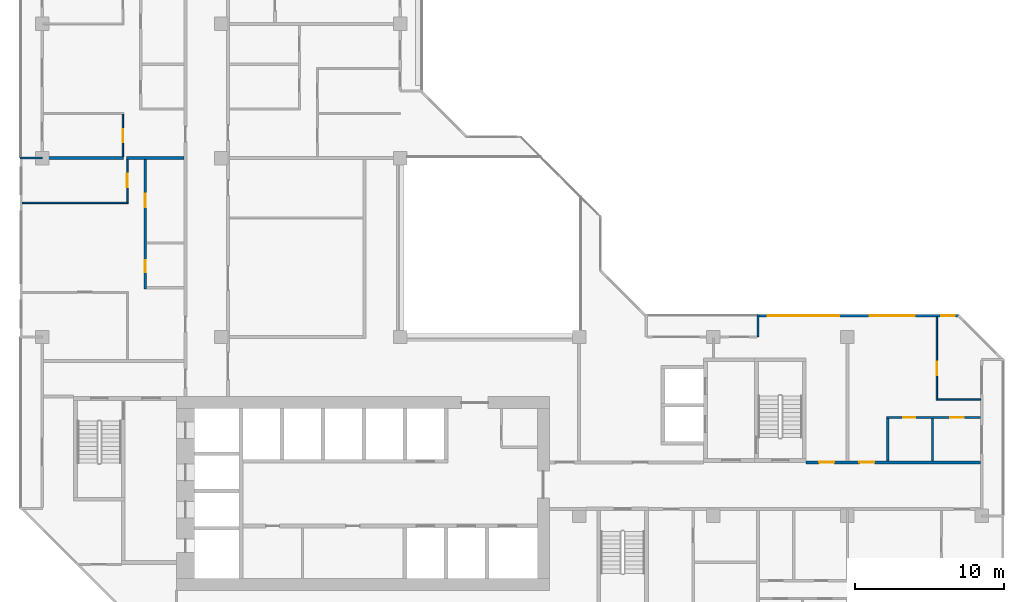
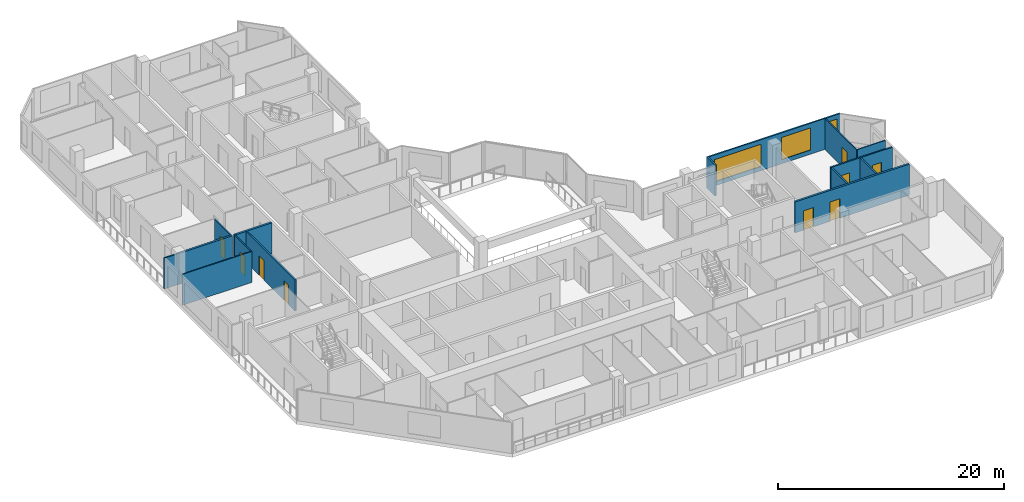
# One storey, part 8 of 15: 15 walls, 9 doors, 3 windows, 12 openings.
"""IFC4 building model written with IfcOpenShell, lengths in metres."""

from ifc_helpers import new_model, si_unit, direction, frame, frame_2d, origin, place, context, subcontext, project, spatial, rectangle, extrude, material, layer, layer_set, type_object, element, fill, save


model = new_model("IFC4")

# Units and contexts
model_context = context("Model", 3, precision=1e-05, world=origin(), true_north=direction((0.0, 1.0)))
body_context = subcontext(model_context, "Body", "Model", "MODEL_VIEW")
ifc_project = project(units=[si_unit("LENGTHUNIT", "METRE"), si_unit("AREAUNIT", "SQUARE_METRE"), si_unit("VOLUMEUNIT", "CUBIC_METRE"), si_unit("PLANEANGLEUNIT", "RADIAN"), si_unit("MASSUNIT", "GRAM", prefix="KILO")], contexts=[model_context])

# Site, building, storey
site_placement = place(None, origin())
site = spatial("IfcSite", under=ifc_project, at=site_placement, CompositionType="ELEMENT")
building_placement = place(site_placement, origin())
building = spatial("IfcBuilding", under=site, at=building_placement, Name="Chenar Terraces", CompositionType="ELEMENT")
storey_placement = place(building_placement, frame((0.0, 0.0, 198.64990234375)))
storey = spatial("IfcBuildingStorey", under=building, at=storey_placement, Name="L46", CompositionType="ELEMENT", Elevation=198.64990234375)

# Wall, openings, doors
ifc_material_1 = material(Name="Gypsum board on steel studs with fire boards", Category="steel")
ifc_layer_1 = layer(ifc_material_1, 0.199951171875)
ifc_layer_set_1 = layer_set([ifc_layer_1], Name="Gypsum board on steel studs with fire boards")
wall_type_1 = type_object("IfcWallType", Name="Corridor wall 200", PredefinedType="PARTITIONING", material=ifc_layer_set_1)
wall_1_placement = place(storey_placement, frame((51.22509765625, 15.60009765625, 0.0), z_axis=(0.0, 0.0, 1.0), x_axis=(1.0, 0.0, 0.0)))
wall_1 = element("IfcWall", 1, at=wall_1_placement, inside=storey, type_object=wall_type_1, Name="Partition L46-079", PredefinedType="PARTITIONING", context=body_context, shape_type="SweptSolid", body=[
    extrude(rectangle(XDim=11.700927734375, YDim=0.199951171875, at=frame_2d((5.8505859375, 0.0))), origin(), (0.0, 0.0, 1.0), 3.35009765625),
])
opening_1_placement = place(wall_1_placement, frame((3.574951171875, 0.0, 0.0)))
opening_1 = element("IfcOpeningElement", 2, at=opening_1_placement, cuts=wall_1, Name="Opening DL46-7", PredefinedType="OPENING", context=body_context, shape_type="SweptSolid", body=[
    extrude(rectangle(XDim=1.0, YDim=2.10009765625, at=frame_2d((0.5, 1.050048828125))), frame((0.0, 0.10986328125, 0.0), z_axis=(0.0, -1.0, 0.0), x_axis=(1.0, 0.0, 0.0)), (0.0, 0.0, 1.0), 0.219970703125),
])
opening_2_placement = place(wall_1_placement, frame((0.875, 0.0, 0.0)))
opening_2 = element("IfcOpeningElement", 3, at=opening_2_placement, cuts=wall_1, Name="Opening DL46-41", PredefinedType="OPENING", context=body_context, shape_type="SweptSolid", body=[
    extrude(rectangle(XDim=1.0, YDim=2.10009765625, at=frame_2d((0.5, 1.050048828125))), frame((0.0, 0.10986328125, 0.0), z_axis=(0.0, -1.0, 0.0), x_axis=(1.0, 0.0, 0.0)), (0.0, 0.0, 1.0), 0.219970703125),
])
ifc_material_2 = material(Name="Steel-framed fire-resisting door leaf", Category="steel")
door_type_1 = type_object("IfcDoorType", Name="Fire door FD30S 1000 x 2100", OperationType="SINGLE_SWING_LEFT", PredefinedType="DOOR", material=ifc_material_2)
door_1_placement = place(opening_1_placement, origin())
door_1 = element("IfcDoor", 4, at=door_1_placement, inside=storey, type_object=door_type_1, Name="Door DL46-7", OperationType="SINGLE_SWING_LEFT", OverallHeight=2.10009765625, OverallWidth=1.0, PredefinedType="DOOR", context=body_context, shape_type="SweptSolid", body=[
    extrude(rectangle(XDim=1.0, YDim=2.10009765625, at=frame_2d((0.5, 1.050048828125))), frame((0.0, 0.02490234375, 0.0), z_axis=(0.0, -1.0, 0.0), x_axis=(1.0, 0.0, 0.0)), (0.0, 0.0, 1.0), 0.050048828125),
])
fill(opening_1, door_1)
door_2_placement = place(opening_2_placement, origin())
door_2 = element("IfcDoor", 5, at=door_2_placement, inside=storey, type_object=door_type_1, Name="Door DL46-41", OperationType="SINGLE_SWING_RIGHT", OverallHeight=2.10009765625, OverallWidth=1.0, PredefinedType="DOOR", context=body_context, shape_type="SweptSolid", body=[
    extrude(rectangle(XDim=1.0, YDim=2.10009765625, at=frame_2d((0.5, 1.050048828125))), frame((0.0, 0.02490234375, 0.0), z_axis=(0.0, -1.0, 0.0), x_axis=(1.0, 0.0, 0.0)), (0.0, 0.0, 1.0), 0.050048828125),
])
fill(opening_2, door_2)

# Wall, openings, windows
ifc_material_3 = material(Name="Aluminium framed glazing", Category="aluminium")
ifc_layer_2 = layer(ifc_material_3, 0.14990234375)
ifc_layer_set_2 = layer_set([ifc_layer_2], Name="Aluminium framed glazing")
wall_type_2 = type_object("IfcWallType", Name="Glazed flush facade wall 150", PredefinedType="SOLIDWALL", material=ifc_layer_set_2)
wall_2_placement = place(storey_placement, frame((61.5, 25.425048828125, 0.0), z_axis=(0.0, 0.0, 1.0), x_axis=(-1.0, 0.0, 0.0)))
wall_2 = element("IfcWall", 6, at=wall_2_placement, inside=storey, type_object=wall_type_2, Name="Glazed flush facade wall", PredefinedType="SOLIDWALL", context=body_context, shape_type="SweptSolid", body=[
    extrude(rectangle(XDim=13.425048828125, YDim=0.14990234375, at=frame_2d((6.71240234375, 0.0))), origin(), (0.0, 0.0, 1.0), 3.35009765625),
])
opening_3_placement = place(wall_2_placement, frame((0.300048828125, 0.0, 0.449951171875)))
opening_3 = element("IfcOpeningElement", 7, at=opening_3_placement, cuts=wall_2, Name="Opening W90x240", PredefinedType="OPENING", context=body_context, shape_type="SweptSolid", body=[
    extrude(rectangle(XDim=0.89990234375, YDim=2.39990234375, at=frame_2d((0.449951171875, 1.199951171875))), frame((0.0, 0.0849609375, 0.0), z_axis=(0.0, -1.0, 0.0), x_axis=(1.0, 0.0, 0.0)), (0.0, 0.0, 1.0), 0.169921875),
])
opening_4_placement = place(wall_2_placement, frame((3.0, 0.0, 0.449951171875)))
opening_4 = element("IfcOpeningElement", 8, at=opening_4_placement, cuts=wall_2, Name="Opening W300x240", PredefinedType="OPENING", context=body_context, shape_type="SweptSolid", body=[
    extrude(rectangle(XDim=3.0, YDim=2.39990234375, at=frame_2d((1.5, 1.199951171875))), frame((0.0, 0.0849609375, 0.0), z_axis=(0.0, -1.0, 0.0), x_axis=(1.0, 0.0, 0.0)), (0.0, 0.0, 1.0), 0.169921875),
])
opening_5_placement = place(wall_2_placement, frame((8.0625, 0.0, 0.449951171875)))
opening_5 = element("IfcOpeningElement", 9, at=opening_5_placement, cuts=wall_2, Name="Opening W480x240", PredefinedType="OPENING", context=body_context, shape_type="SweptSolid", body=[
    extrude(rectangle(XDim=4.800048828125, YDim=2.39990234375, at=frame_2d((2.39990234375, 1.199951171875))), frame((0.0, 0.0849609375, 0.0), z_axis=(0.0, -1.0, 0.0), x_axis=(1.0, 0.0, 0.0)), (0.0, 0.0, 1.0), 0.169921875),
])
ifc_material_4 = material(Name="Low emissivity double glazing, aluminium frame", Category="aluminium")
window_type_1 = type_object("IfcWindowType", Name="Fixed light 3000 x 2400", PartitioningType="SINGLE_PANEL", PredefinedType="WINDOW", material=ifc_material_4)
window_1_placement = place(opening_4_placement, origin())
window_1 = element("IfcWindow", 10, at=window_1_placement, inside=storey, type_object=window_type_1, Name="Window", OverallHeight=2.39990234375, OverallWidth=3.0, PartitioningType="SINGLE_PANEL", PredefinedType="WINDOW", context=body_context, shape_type="SweptSolid", body=[
    extrude(rectangle(XDim=3.0, YDim=2.39990234375, at=frame_2d((1.5, 1.199951171875))), frame((0.0, 0.030029296875, 0.0), z_axis=(0.0, -1.0, 0.0), x_axis=(1.0, 0.0, 0.0)), (0.0, 0.0, 1.0), 0.06005859375),
])
fill(opening_4, window_1)
ifc_material_5 = material(Name="Low emissivity double glazing, aluminium frame", Category="aluminium")
window_type_2 = type_object("IfcWindowType", Name="Fixed light 4800 x 2400", PartitioningType="SINGLE_PANEL", PredefinedType="WINDOW", material=ifc_material_5)
window_2_placement = place(opening_5_placement, origin())
window_2 = element("IfcWindow", 11, at=window_2_placement, inside=storey, type_object=window_type_2, Name="Window", OverallHeight=2.39990234375, OverallWidth=4.800048828125, PartitioningType="SINGLE_PANEL", PredefinedType="WINDOW", context=body_context, shape_type="SweptSolid", body=[
    extrude(rectangle(XDim=4.800048828125, YDim=2.39990234375, at=frame_2d((2.39990234375, 1.199951171875))), frame((0.0, 0.030029296875, 0.0), z_axis=(0.0, -1.0, 0.0), x_axis=(1.0, 0.0, 0.0)), (0.0, 0.0, 1.0), 0.06005859375),
])
fill(opening_5, window_2)
ifc_material_6 = material(Name="Low emissivity double glazing, aluminium frame", Category="aluminium")
window_type_3 = type_object("IfcWindowType", Name="Fixed light 900 x 2400", PartitioningType="SINGLE_PANEL", PredefinedType="WINDOW", material=ifc_material_6)
window_3_placement = place(opening_3_placement, origin())
window_3 = element("IfcWindow", 12, at=window_3_placement, inside=storey, type_object=window_type_3, Name="Window", OverallHeight=2.39990234375, OverallWidth=0.89990234375, PartitioningType="SINGLE_PANEL", PredefinedType="WINDOW", context=body_context, shape_type="SweptSolid", body=[
    extrude(rectangle(XDim=0.89990234375, YDim=2.39990234375, at=frame_2d((0.449951171875, 1.199951171875))), frame((0.0, 0.030029296875, 0.0), z_axis=(0.0, -1.0, 0.0), x_axis=(1.0, 0.0, 0.0)), (0.0, 0.0, 1.0), 0.06005859375),
])
fill(opening_3, window_3)

# Wall
ifc_material_7 = material(Name="Gypsum board on steel studs", Category="steel")
ifc_layer_3 = layer(ifc_material_7, 0.10009765625)
ifc_layer_set_3 = layer_set([ifc_layer_3], Name="Gypsum board on steel studs")
wall_type_3 = type_object("IfcWallType", Name="Gypsum partition 100", PredefinedType="PARTITIONING", material=ifc_layer_set_3)
wall_3_placement = place(storey_placement, frame((-1.35009765625, 33.0, 0.0), z_axis=(0.0, 0.0, 1.0), x_axis=(1.0, 0.0, 0.0)))
element("IfcWall", 13, at=wall_3_placement, inside=storey, type_object=wall_type_3, Name="Partition L46-003", PredefinedType="PARTITIONING", context=body_context, shape_type="SweptSolid", body=[
    extrude(rectangle(XDim=7.10009765625, YDim=0.10009765625, at=frame_2d((3.550048828125, 0.0))), origin(), (0.0, 0.0, 1.0), 3.35009765625),
])

# Wall, opening, door
wall_4_placement = place(storey_placement, frame((5.39990234375, 36.10009765625, 0.0), z_axis=(0.0, 0.0, 1.0), x_axis=(0.0, 1.0, 0.0)))
wall_4 = element("IfcWall", 14, at=wall_4_placement, inside=storey, type_object=wall_type_3, Name="Partition L46-013", PredefinedType="PARTITIONING", context=body_context, shape_type="SweptSolid", body=[
    extrude(rectangle(XDim=2.849853515625, YDim=0.10009765625, at=frame_2d((1.4248046875, 0.0))), origin(), (0.0, 0.0, 1.0), 3.35009765625),
])
opening_6_placement = place(wall_4_placement, frame((0.949951171875, 0.0, 0.0)))
opening_6 = element("IfcOpeningElement", 15, at=opening_6_placement, cuts=wall_4, Name="Opening DL46-26", PredefinedType="OPENING", context=body_context, shape_type="SweptSolid", body=[
    extrude(rectangle(XDim=0.89990234375, YDim=2.10009765625, at=frame_2d((0.449951171875, 1.050048828125))), frame((0.0, 0.06005859375, 0.0), z_axis=(0.0, -1.0, 0.0), x_axis=(1.0, 0.0, 0.0)), (0.0, 0.0, 1.0), 0.1201171875),
])
ifc_material_8 = material(Name="Veneered timber door leaf", Category="wood")
door_type_2 = type_object("IfcDoorType", Name="Door 900 x 2100", OperationType="SINGLE_SWING_LEFT", PredefinedType="DOOR", material=ifc_material_8)
door_3_placement = place(opening_6_placement, origin())
door_3 = element("IfcDoor", 16, at=door_3_placement, inside=storey, type_object=door_type_2, Name="Door DL46-26", OperationType="SINGLE_SWING_RIGHT", OverallHeight=2.10009765625, OverallWidth=0.89990234375, PredefinedType="DOOR", context=body_context, shape_type="SweptSolid", body=[
    extrude(rectangle(XDim=0.89990234375, YDim=2.10009765625, at=frame_2d((0.449951171875, 1.050048828125))), frame((0.0, 0.02490234375, 0.0), z_axis=(0.0, -1.0, 0.0), x_axis=(1.0, 0.0, 0.0)), (0.0, 0.0, 1.0), 0.050048828125),
])
fill(opening_6, door_3)

wall_5_placement = place(storey_placement, frame((5.699951171875, 33.050048828125, 0.0), z_axis=(0.0, 0.0, 1.0), x_axis=(0.0, 1.0, 0.0)))
wall_5 = element("IfcWall", 17, at=wall_5_placement, inside=storey, type_object=wall_type_3, Name="Partition L46-020", PredefinedType="PARTITIONING", context=body_context, shape_type="SweptSolid", body=[
    extrude(rectangle(XDim=2.849853515625, YDim=0.10009765625, at=frame_2d((1.4248046875, 0.0))), origin(), (0.0, 0.0, 1.0), 3.35009765625),
])
opening_7_placement = place(wall_5_placement, frame((1.0, 0.0, 0.0)))
opening_7 = element("IfcOpeningElement", 18, at=opening_7_placement, cuts=wall_5, Name="Opening DL46-58", PredefinedType="OPENING", context=body_context, shape_type="SweptSolid", body=[
    extrude(rectangle(XDim=0.89990234375, YDim=2.10009765625, at=frame_2d((0.449951171875, 1.050048828125))), frame((0.0, 0.06005859375, 0.0), z_axis=(0.0, -1.0, 0.0), x_axis=(1.0, 0.0, 0.0)), (0.0, 0.0, 1.0), 0.1201171875),
])
door_4_placement = place(opening_7_placement, origin())
door_4 = element("IfcDoor", 19, at=door_4_placement, inside=storey, type_object=door_type_2, Name="Door DL46-58", OperationType="SINGLE_SWING_LEFT", OverallHeight=2.10009765625, OverallWidth=0.89990234375, PredefinedType="DOOR", context=body_context, shape_type="SweptSolid", body=[
    extrude(rectangle(XDim=0.89990234375, YDim=2.10009765625, at=frame_2d((0.449951171875, 1.050048828125))), frame((0.0, 0.02490234375, 0.0), z_axis=(0.0, -1.0, 0.0), x_axis=(1.0, 0.0, 0.0)), (0.0, 0.0, 1.0), 0.050048828125),
])
fill(opening_7, door_4)

wall_6_placement = place(storey_placement, frame((60.0, 19.75, 0.0), z_axis=(0.0, 0.0, 1.0), x_axis=(0.0, 1.0, 0.0)))
wall_6 = element("IfcWall", 20, at=wall_6_placement, inside=storey, type_object=wall_type_3, Name="Partition L46-087", PredefinedType="PARTITIONING", context=body_context, shape_type="SweptSolid", body=[
    extrude(rectangle(XDim=5.60009765625, YDim=0.10009765625, at=frame_2d((2.800048828125, 0.0))), origin(), (0.0, 0.0, 1.0), 3.35009765625),
])
opening_8_placement = place(wall_6_placement, frame((1.699951171875, 0.0, 0.0)))
opening_8 = element("IfcOpeningElement", 21, at=opening_8_placement, cuts=wall_6, Name="Opening DL46-5", PredefinedType="OPENING", context=body_context, shape_type="SweptSolid", body=[
    extrude(rectangle(XDim=0.89990234375, YDim=2.10009765625, at=frame_2d((0.449951171875, 1.050048828125))), frame((0.0, 0.06005859375, 0.0), z_axis=(0.0, -1.0, 0.0), x_axis=(1.0, 0.0, 0.0)), (0.0, 0.0, 1.0), 0.1201171875),
])
door_5_placement = place(opening_8_placement, frame((0.89990234375, 0.0, 0.0), z_axis=(0.0, 0.0, 1.0), x_axis=(-1.0, 0.0, 0.0)))
door_5 = element("IfcDoor", 22, at=door_5_placement, inside=storey, type_object=door_type_2, Name="Door DL46-5", OperationType="SINGLE_SWING_RIGHT", OverallHeight=2.10009765625, OverallWidth=0.89990234375, PredefinedType="DOOR", context=body_context, shape_type="SweptSolid", body=[
    extrude(rectangle(XDim=0.89990234375, YDim=2.10009765625, at=frame_2d((0.449951171875, 1.050048828125))), frame((0.0, 0.02490234375, 0.0), z_axis=(0.0, -1.0, 0.0), x_axis=(1.0, 0.0, 0.0)), (0.0, 0.0, 1.0), 0.050048828125),
])
fill(opening_8, door_5)

# Walls
wall_7_placement = place(storey_placement, frame((60.050048828125, 19.800048828125, 0.0), z_axis=(0.0, 0.0, 1.0), x_axis=(1.0, 0.0, 0.0)))
element("IfcWall", 23, at=wall_7_placement, inside=storey, type_object=wall_type_3, Name="Partition L46-088", PredefinedType="PARTITIONING", context=body_context, shape_type="SweptSolid", body=[
    extrude(rectangle(XDim=2.8759765625, YDim=0.10009765625, at=frame_2d((1.43798828125, 0.0))), origin(), (0.0, 0.0, 1.0), 3.35009765625),
])
ifc_material_9 = material(Name="Terracotta cladding on insulated backing", Category="masonry")
ifc_layer_4 = layer(ifc_material_9, 0.14990234375)
ifc_layer_set_4 = layer_set([ifc_layer_4], Name="Terracotta cladding on insulated backing")
wall_type_4 = type_object("IfcWallType", Name="Loggia return wall 150", PredefinedType="SOLIDWALL", material=ifc_layer_set_4)
for number, where, z_axis, x_axis, name in (
    (24, (48.0, 25.5, 0.0), (0.0, 0.0, 1.0), (0.0, -1.0, 0.0), "Loggia return wall"),
    (25, (-1.5, 36.0, 0.0), (0.0, 0.0, 1.0), (1.0, 0.0, 0.0), "Loggia return wall"),
):
    element("IfcWall", number, at=place(storey_placement, frame(where, z_axis=z_axis, x_axis=x_axis)), inside=storey, type_object=wall_type_4, Name=name, PredefinedType="SOLIDWALL", context=body_context, shape_type="SweptSolid", body=[
        extrude(rectangle(XDim=1.5, YDim=0.14990234375, at=frame_2d((0.75, 0.0))), origin(), (0.0, 0.0, 1.0), 3.35009765625),
    ])
ifc_material_10 = material(Name="Twin gypsum board on steel studs with mineral wool", Category="steel")
ifc_layer_5 = layer(ifc_material_10, 0.199951171875)
ifc_layer_set_5 = layer_set([ifc_layer_5], Name="Twin gypsum board on steel studs with mineral wool")
wall_type_5 = type_object("IfcWallType", Name="Unit demising wall 200", PredefinedType="PARTITIONING", material=ifc_layer_set_5)
wall_8_placement = place(storey_placement, frame((0.0, 36.0, 0.0), z_axis=(0.0, 0.0, 1.0), x_axis=(1.0, 0.0, 0.0)))
element("IfcWall", 26, at=wall_8_placement, inside=storey, type_object=wall_type_5, Name="Partition L46-004", PredefinedType="PARTITIONING", context=body_context, shape_type="SweptSolid", body=[
    extrude(rectangle(XDim=5.449951171875, YDim=0.199951171875, at=frame_2d((2.72509765625, 0.0))), origin(), (0.0, 0.0, 1.0), 3.35009765625),
])
wall_9_placement = place(storey_placement, frame((5.64990234375, 36.0, 0.0), z_axis=(0.0, 0.0, 1.0), x_axis=(1.0, 0.0, 0.0)))
element("IfcWall", 27, at=wall_9_placement, inside=storey, type_object=wall_type_5, Name="Partition L46-018", PredefinedType="PARTITIONING", context=body_context, shape_type="SweptSolid", body=[
    extrude(rectangle(XDim=3.85009765625, YDim=0.199951171875, at=frame_2d((1.925048828125, 0.0))), origin(), (0.0, 0.0, 1.0), 3.35009765625),
])

# Wall, openings, doors
ifc_material_11 = material(Name="Moisture-resistant gypsum board on steel studs", Category="steel")
ifc_layer_6 = layer(ifc_material_11, 0.14990234375)
ifc_layer_set_6 = layer_set([ifc_layer_6], Name="Moisture-resistant gypsum board on steel studs")
wall_type_6 = type_object("IfcWallType", Name="Wet-room partition 150", PredefinedType="PARTITIONING", material=ifc_layer_set_6)
wall_10_placement = place(storey_placement, frame((6.89990234375, 27.22509765625, 0.0), z_axis=(0.0, 0.0, 1.0), x_axis=(0.0, 1.0, 0.0)))
wall_10 = element("IfcWall", 28, at=wall_10_placement, inside=storey, type_object=wall_type_6, Name="Partition L46-028", PredefinedType="PARTITIONING", context=body_context, shape_type="SweptSolid", body=[
    extrude(rectangle(XDim=8.6748046875, YDim=0.14990234375, at=frame_2d((4.33740234375, 0.0))), origin(), (0.0, 0.0, 1.0), 3.35009765625),
])
opening_9_placement = place(wall_10_placement, frame((1.125, 0.0, 0.0)))
opening_9 = element("IfcOpeningElement", 29, at=opening_9_placement, cuts=wall_10, Name="Opening DL46-56", PredefinedType="OPENING", context=body_context, shape_type="SweptSolid", body=[
    extrude(rectangle(XDim=0.800048828125, YDim=2.10009765625, at=frame_2d((0.39990234375, 1.050048828125))), frame((0.0, 0.0849609375, 0.0), z_axis=(0.0, -1.0, 0.0), x_axis=(1.0, 0.0, 0.0)), (0.0, 0.0, 1.0), 0.169921875),
])
opening_10_placement = place(wall_10_placement, frame((5.47509765625, 0.0, 0.0)))
opening_10 = element("IfcOpeningElement", 30, at=opening_10_placement, cuts=wall_10, Name="Opening DL46-59", PredefinedType="OPENING", context=body_context, shape_type="SweptSolid", body=[
    extrude(rectangle(XDim=0.89990234375, YDim=2.10009765625, at=frame_2d((0.449951171875, 1.050048828125))), frame((0.0, 0.0849609375, 0.0), z_axis=(0.0, -1.0, 0.0), x_axis=(1.0, 0.0, 0.0)), (0.0, 0.0, 1.0), 0.169921875),
])
ifc_material_12 = material(Name="Veneered timber door leaf", Category="wood")
door_type_3 = type_object("IfcDoorType", Name="Door 800 x 2100", OperationType="SINGLE_SWING_LEFT", PredefinedType="DOOR", material=ifc_material_12)
door_6_placement = place(opening_9_placement, frame((0.800048828125, 0.0, 0.0), z_axis=(0.0, 0.0, 1.0), x_axis=(-1.0, 0.0, 0.0)))
door_6 = element("IfcDoor", 31, at=door_6_placement, inside=storey, type_object=door_type_3, Name="Door DL46-56", OperationType="SINGLE_SWING_RIGHT", OverallHeight=2.10009765625, OverallWidth=0.800048828125, PredefinedType="DOOR", context=body_context, shape_type="SweptSolid", body=[
    extrude(rectangle(XDim=0.800048828125, YDim=2.10009765625, at=frame_2d((0.39990234375, 1.050048828125))), frame((0.0, 0.02490234375, 0.0), z_axis=(0.0, -1.0, 0.0), x_axis=(1.0, 0.0, 0.0)), (0.0, 0.0, 1.0), 0.050048828125),
])
fill(opening_9, door_6)
door_7_placement = place(opening_10_placement, frame((0.89990234375, 0.0, 0.0), z_axis=(0.0, 0.0, 1.0), x_axis=(-1.0, 0.0, 0.0)))
door_7 = element("IfcDoor", 32, at=door_7_placement, inside=storey, type_object=door_type_2, Name="Door DL46-59", OperationType="SINGLE_SWING_RIGHT", OverallHeight=2.10009765625, OverallWidth=0.89990234375, PredefinedType="DOOR", context=body_context, shape_type="SweptSolid", body=[
    extrude(rectangle(XDim=0.89990234375, YDim=2.10009765625, at=frame_2d((0.449951171875, 1.050048828125))), frame((0.0, 0.02490234375, 0.0), z_axis=(0.0, -1.0, 0.0), x_axis=(1.0, 0.0, 0.0)), (0.0, 0.0, 1.0), 0.050048828125),
])
fill(opening_10, door_7)

wall_11_placement = place(storey_placement, frame((56.625, 18.60009765625, 0.0), z_axis=(0.0, 0.0, 1.0), x_axis=(1.0, 0.0, 0.0)))
wall_11 = element("IfcWall", 33, at=wall_11_placement, inside=storey, type_object=wall_type_6, Name="Partition L46-083", PredefinedType="PARTITIONING", context=body_context, shape_type="SweptSolid", body=[
    extrude(rectangle(XDim=6.301025390625, YDim=0.14990234375, at=frame_2d((3.150390625, 0.0))), origin(), (0.0, 0.0, 1.0), 3.35009765625),
])
opening_11_placement = place(wall_11_placement, frame((1.125, 0.0, 0.0)))
opening_11 = element("IfcOpeningElement", 34, at=opening_11_placement, cuts=wall_11, Name="Opening DL46-4", PredefinedType="OPENING", context=body_context, shape_type="SweptSolid", body=[
    extrude(rectangle(XDim=0.800048828125, YDim=2.10009765625, at=frame_2d((0.39990234375, 1.050048828125))), frame((0.0, 0.0849609375, 0.0), z_axis=(0.0, -1.0, 0.0), x_axis=(1.0, 0.0, 0.0)), (0.0, 0.0, 1.0), 0.169921875),
])
opening_12_placement = place(wall_11_placement, frame((4.27490234375, 0.0, 0.0)))
opening_12 = element("IfcOpeningElement", 35, at=opening_12_placement, cuts=wall_11, Name="Opening DL46-6", PredefinedType="OPENING", context=body_context, shape_type="SweptSolid", body=[
    extrude(rectangle(XDim=0.89990234375, YDim=2.10009765625, at=frame_2d((0.449951171875, 1.050048828125))), frame((0.0, 0.0849609375, 0.0), z_axis=(0.0, -1.0, 0.0), x_axis=(1.0, 0.0, 0.0)), (0.0, 0.0, 1.0), 0.169921875),
])
door_8_placement = place(opening_11_placement, frame((0.800048828125, 0.0, 0.0), z_axis=(0.0, 0.0, 1.0), x_axis=(-1.0, 0.0, 0.0)))
door_8 = element("IfcDoor", 36, at=door_8_placement, inside=storey, type_object=door_type_3, Name="Door DL46-4", OperationType="SINGLE_SWING_RIGHT", OverallHeight=2.10009765625, OverallWidth=0.800048828125, PredefinedType="DOOR", context=body_context, shape_type="SweptSolid", body=[
    extrude(rectangle(XDim=0.800048828125, YDim=2.10009765625, at=frame_2d((0.39990234375, 1.050048828125))), frame((0.0, 0.02490234375, 0.0), z_axis=(0.0, -1.0, 0.0), x_axis=(1.0, 0.0, 0.0)), (0.0, 0.0, 1.0), 0.050048828125),
])
fill(opening_11, door_8)
door_9_placement = place(opening_12_placement, frame((0.89990234375, 0.0, 0.0), z_axis=(0.0, 0.0, 1.0), x_axis=(-1.0, 0.0, 0.0)))
door_9 = element("IfcDoor", 37, at=door_9_placement, inside=storey, type_object=door_type_2, Name="Door DL46-6", OperationType="SINGLE_SWING_RIGHT", OverallHeight=2.10009765625, OverallWidth=0.89990234375, PredefinedType="DOOR", context=body_context, shape_type="SweptSolid", body=[
    extrude(rectangle(XDim=0.89990234375, YDim=2.10009765625, at=frame_2d((0.449951171875, 1.050048828125))), frame((0.0, 0.02490234375, 0.0), z_axis=(0.0, -1.0, 0.0), x_axis=(1.0, 0.0, 0.0)), (0.0, 0.0, 1.0), 0.050048828125),
])
fill(opening_12, door_9)

# Walls
for number, where, z_axis, x_axis, name in (
    (38, (56.699951171875, 15.699951171875, 0.0), (0.0, 0.0, 1.0), (0.0, 1.0, 0.0), "Partition L46-084"),
    (39, (59.699951171875, 15.699951171875, 0.0), (0.0, 0.0, 1.0), (0.0, 1.0, 0.0), "Partition L46-086"),
):
    element("IfcWall", number, at=place(storey_placement, frame(where, z_axis=z_axis, x_axis=x_axis)), inside=storey, type_object=wall_type_6, Name=name, PredefinedType="PARTITIONING", context=body_context, shape_type="SweptSolid", body=[
        extrude(rectangle(XDim=2.824951171875, YDim=0.14990234375, at=frame_2d((1.41259765625, 0.0))), origin(), (0.0, 0.0, 1.0), 3.35009765625),
    ])

save(model, "model.ifc")
